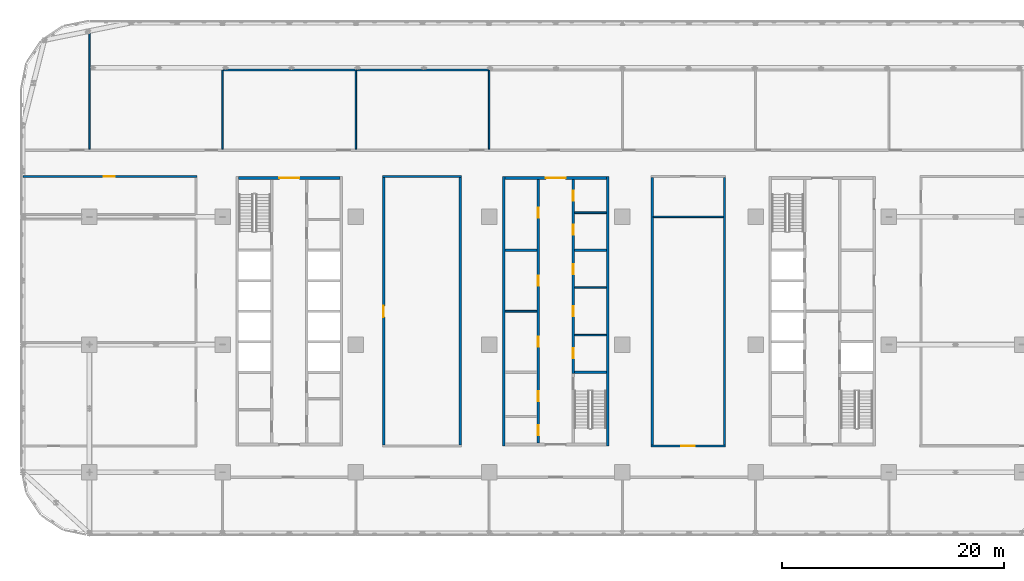
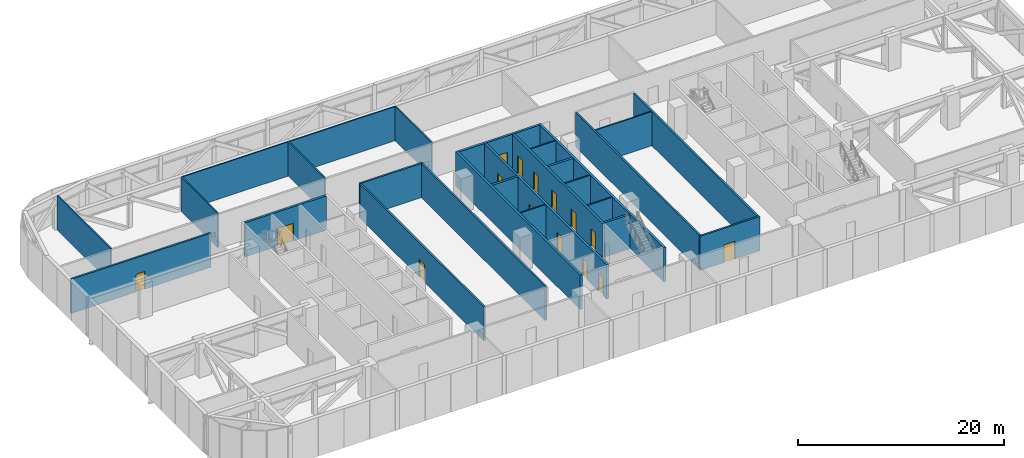
# One storey, part 10 of 26: 27 walls, 15 doors, 15 openings.
"""IFC4 building model written with IfcOpenShell, lengths in metres."""

from ifc_helpers import new_model, si_unit, direction, frame, frame_2d, origin, place, context, subcontext, project, spatial, rectangle, extrude, material, layer, layer_set, type_object, element, fill, save


model = new_model("IFC4")

# Units and contexts
model_context = context("Model", 3, precision=1e-05, world=origin(), true_north=direction((0.0, 1.0)))
body_context = subcontext(model_context, "Body", "Model", "MODEL_VIEW")
ifc_project = project(units=[si_unit("LENGTHUNIT", "METRE"), si_unit("AREAUNIT", "SQUARE_METRE"), si_unit("VOLUMEUNIT", "CUBIC_METRE"), si_unit("PLANEANGLEUNIT", "RADIAN"), si_unit("MASSUNIT", "GRAM", prefix="KILO")], contexts=[model_context])

# Site, building, storey
site_placement = place(None, origin())
site = spatial("IfcSite", under=ifc_project, at=site_placement, CompositionType="ELEMENT")
building_placement = place(site_placement, origin())
building = spatial("IfcBuilding", under=site, at=building_placement, Name="Mahtab Terrace Research Tower", CompositionType="ELEMENT")
storey_placement = place(building_placement, frame((0.0, 0.0, 117.60009765625)))
storey = spatial("IfcBuildingStorey", under=building, at=storey_placement, Name="L27", CompositionType="ELEMENT", Elevation=117.60009765625)

# Walls
ifc_material_1 = material(Name="Gypsum board partition")
ifc_layer_1 = layer(ifc_material_1, 0.14990234375)
ifc_layer_set_1 = layer_set([ifc_layer_1], Name="Core partition 150")
wall_type_1 = type_object("IfcWallType", Name="Core partition 150", PredefinedType="PARTITIONING", material=ifc_layer_set_1)
for number, where, z_axis, x_axis, name in (
    (1, (-4.550048828125, 3.0, 0.0), (0.0, 0.0, 1.0), (1.0, 0.0, 0.0), "Core wall B pWL0"),
    (2, (1.699951171875, 0.85009765625, 0.0), (0.0, 0.0, 1.0), (1.0, 0.0, 0.0), "Core wall B pEL-215"),
    (3, (1.699951171875, 5.14990234375, 0.0), (0.0, 0.0, 1.0), (1.0, 0.0, 0.0), "Core wall B pEL215"),
    (4, (1.699951171875, 11.875, 0.0), (0.0, 0.0, 1.0), (1.0, 0.0, 0.0), "Core wall B pEN888"),
):
    element("IfcWall", number, at=place(storey_placement, frame(where, z_axis=z_axis, x_axis=x_axis)), inside=storey, type_object=wall_type_1, Name=name, PredefinedType="PARTITIONING", context=body_context, shape_type="SweptSolid", body=[
        extrude(rectangle(XDim=2.85009765625, YDim=0.14990234375, at=frame_2d((1.425048828125, 0.0))), origin(), (0.0, 0.0, 1.0), 4.059814453125),
    ])

# Wall, opening, door
ifc_material_2 = material(Name="Concrete C70/85", Category="concrete")
ifc_layer_2 = layer(ifc_material_2, 0.25)
ifc_layer_set_2 = layer_set([ifc_layer_2], Name="Core wall 250")
wall_type_2 = type_object("IfcWallType", Name="Core wall 250", PredefinedType="SOLIDWALL", material=ifc_layer_set_2)
wall_1_placement = place(storey_placement, frame((-28.550048828125, 15.0, 0.0), z_axis=(0.0, 0.0, 1.0), x_axis=(1.0, 0.0, 0.0)))
wall_1 = element("IfcWall", 5, at=wall_1_placement, inside=storey, type_object=wall_type_2, Name="Core wall A endN", PredefinedType="SOLIDWALL", context=body_context, shape_type="SweptSolid", body=[
    extrude(rectangle(XDim=9.10009765625, YDim=0.25, at=frame_2d((4.550048828125, 0.0))), origin(), (0.0, 0.0, 1.0), 4.059814453125),
])
opening_1_placement = place(wall_1_placement, frame((3.64990234375, 0.0, 0.0)))
opening_1 = element("IfcOpeningElement", 6, at=opening_1_placement, cuts=wall_1, Name="Opening A-N1", PredefinedType="OPENING", context=body_context, shape_type="SweptSolid", body=[
    extrude(rectangle(XDim=1.800048828125, YDim=2.10009765625, at=frame_2d((0.89990234375, 1.050048828125))), frame((0.0, 0.135009765625, 0.0), z_axis=(0.0, -1.0, 0.0), x_axis=(1.0, 0.0, 0.0)), (0.0, 0.0, 1.0), 0.27001953125),
])
ifc_material_3 = material(Name="Steel fire door", Category="steel")
door_type_1 = type_object("IfcDoorType", Name="Lobby double door 1800x2100 1 HR", OperationType="DOUBLE_DOOR_SINGLE_SWING", PredefinedType="DOOR", material=ifc_material_3)
door_1_placement = place(opening_1_placement, origin())
door_1 = element("IfcDoor", 7, at=door_1_placement, inside=storey, type_object=door_type_1, Name="Core entrance door A N", OperationType="DOUBLE_DOOR_SINGLE_SWING", OverallHeight=2.10009765625, OverallWidth=1.800048828125, PredefinedType="DOOR", context=body_context, shape_type="SweptSolid", body=[
    extrude(rectangle(XDim=1.800048828125, YDim=2.10009765625, at=frame_2d((0.89990234375, 1.050048828125))), frame((0.0, 0.02490234375, 0.0), z_axis=(0.0, -1.0, 0.0), x_axis=(1.0, 0.0, 0.0)), (0.0, 0.0, 1.0), 0.050048828125),
])
fill(opening_1, door_1)

# Walls
for number, where, z_axis, x_axis, name in (
    (8, (-4.675048828125, 15.125, 0.0), (0.0, 0.0, 1.0), (0.0, -1.0, 0.0), "Core wall B outerW"),
    (9, (4.675048828125, -9.125, 0.0), (0.0, 0.0, 1.0), (0.0, 1.0, 0.0), "Core wall B outerE"),
):
    element("IfcWall", number, at=place(storey_placement, frame(where, z_axis=z_axis, x_axis=x_axis)), inside=storey, type_object=wall_type_2, Name=name, PredefinedType="SOLIDWALL", context=body_context, shape_type="SweptSolid", body=[
        extrude(rectangle(XDim=24.25, YDim=0.25, at=frame_2d((12.125, 0.0))), origin(), (0.0, 0.0, 1.0), 4.059814453125),
    ])

# Wall, opening, door
wall_2_placement = place(storey_placement, frame((-4.550048828125, 15.0, 0.0), z_axis=(0.0, 0.0, 1.0), x_axis=(1.0, 0.0, 0.0)))
wall_2 = element("IfcWall", 10, at=wall_2_placement, inside=storey, type_object=wall_type_2, Name="Core wall B endN", PredefinedType="SOLIDWALL", context=body_context, shape_type="SweptSolid", body=[
    extrude(rectangle(XDim=9.10009765625, YDim=0.25, at=frame_2d((4.550048828125, 0.0))), origin(), (0.0, 0.0, 1.0), 4.059814453125),
])
opening_2_placement = place(wall_2_placement, frame((3.64990234375, 0.0, 0.0)))
opening_2 = element("IfcOpeningElement", 11, at=opening_2_placement, cuts=wall_2, Name="Opening B-N1", PredefinedType="OPENING", context=body_context, shape_type="SweptSolid", body=[
    extrude(rectangle(XDim=1.800048828125, YDim=2.10009765625, at=frame_2d((0.89990234375, 1.050048828125))), frame((0.0, 0.135009765625, 0.0), z_axis=(0.0, -1.0, 0.0), x_axis=(1.0, 0.0, 0.0)), (0.0, 0.0, 1.0), 0.27001953125),
])
door_2_placement = place(opening_2_placement, origin())
door_2 = element("IfcDoor", 12, at=door_2_placement, inside=storey, type_object=door_type_1, Name="Core entrance door B N", OperationType="DOUBLE_DOOR_SINGLE_SWING", OverallHeight=2.10009765625, OverallWidth=1.800048828125, PredefinedType="DOOR", context=body_context, shape_type="SweptSolid", body=[
    extrude(rectangle(XDim=1.800048828125, YDim=2.10009765625, at=frame_2d((0.89990234375, 1.050048828125))), frame((0.0, 0.02490234375, 0.0), z_axis=(0.0, -1.0, 0.0), x_axis=(1.0, 0.0, 0.0)), (0.0, 0.0, 1.0), 0.050048828125),
])
fill(opening_2, door_2)

# Wall, openings, doors
wall_3_placement = place(storey_placement, frame((-1.574951171875, -8.875, 0.0), z_axis=(0.0, 0.0, 1.0), x_axis=(0.0, 1.0, 0.0)))
wall_3 = element("IfcWall", 13, at=wall_3_placement, inside=storey, type_object=wall_type_2, Name="Core wall B innerWSLN", PredefinedType="SOLIDWALL", context=body_context, shape_type="SweptSolid", body=[
    extrude(rectangle(XDim=23.75, YDim=0.25, at=frame_2d((11.875, 0.0))), origin(), (0.0, 0.0, 1.0), 4.059814453125),
])
opening_3_placement = place(wall_3_placement, frame((8.699951171875, 0.0, 0.0)))
opening_3 = element("IfcOpeningElement", 14, at=opening_3_placement, cuts=wall_3, Name="Opening B-R1", PredefinedType="OPENING", context=body_context, shape_type="SweptSolid", body=[
    extrude(rectangle(XDim=0.89990234375, YDim=2.10009765625, at=frame_2d((0.449951171875, 1.050048828125))), frame((0.0, 0.135009765625, 0.0), z_axis=(0.0, -1.0, 0.0), x_axis=(1.0, 0.0, 0.0)), (0.0, 0.0, 1.0), 0.27001953125),
])
opening_4_placement = place(wall_3_placement, frame((14.14990234375, 0.0, 0.0)))
opening_4 = element("IfcOpeningElement", 15, at=opening_4_placement, cuts=wall_3, Name="Opening B-R2", PredefinedType="OPENING", context=body_context, shape_type="SweptSolid", body=[
    extrude(rectangle(XDim=0.89990234375, YDim=2.10009765625, at=frame_2d((0.449951171875, 1.050048828125))), frame((0.0, 0.135009765625, 0.0), z_axis=(0.0, -1.0, 0.0), x_axis=(1.0, 0.0, 0.0)), (0.0, 0.0, 1.0), 0.27001953125),
])
opening_5_placement = place(wall_3_placement, frame((0.71240234375, 0.0, 0.0)))
opening_5 = element("IfcOpeningElement", 16, at=opening_5_placement, cuts=wall_3, Name="Opening B-R6", PredefinedType="OPENING", context=body_context, shape_type="SweptSolid", body=[
    extrude(rectangle(XDim=0.89990234375, YDim=2.10009765625, at=frame_2d((0.449951171875, 1.050048828125))), frame((0.0, 0.135009765625, 0.0), z_axis=(0.0, -1.0, 0.0), x_axis=(1.0, 0.0, 0.0)), (0.0, 0.0, 1.0), 0.27001953125),
])
opening_6_placement = place(wall_3_placement, frame((3.78759765625, 0.0, 0.0)))
opening_6 = element("IfcOpeningElement", 17, at=opening_6_placement, cuts=wall_3, Name="Opening B-R7", PredefinedType="OPENING", context=body_context, shape_type="SweptSolid", body=[
    extrude(rectangle(XDim=0.89990234375, YDim=2.10009765625, at=frame_2d((0.449951171875, 1.050048828125))), frame((0.0, 0.135009765625, 0.0), z_axis=(0.0, -1.0, 0.0), x_axis=(1.0, 0.0, 0.0)), (0.0, 0.0, 1.0), 0.27001953125),
])
opening_7_placement = place(wall_3_placement, frame((20.300048828125, 0.0, 0.0)))
opening_7 = element("IfcOpeningElement", 18, at=opening_7_placement, cuts=wall_3, Name="Opening B-R8", PredefinedType="OPENING", context=body_context, shape_type="SweptSolid", body=[
    extrude(rectangle(XDim=0.89990234375, YDim=2.10009765625, at=frame_2d((0.449951171875, 1.050048828125))), frame((0.0, 0.135009765625, 0.0), z_axis=(0.0, -1.0, 0.0), x_axis=(1.0, 0.0, 0.0)), (0.0, 0.0, 1.0), 0.27001953125),
])
door_type_2 = type_object("IfcDoorType", Name="Room door 900x2100 1 HR", OperationType="NOTDEFINED", PredefinedType="DOOR", material=ifc_material_3)
door_3_placement = place(opening_3_placement, origin())
door_3 = element("IfcDoor", 19, at=door_3_placement, inside=storey, type_object=door_type_2, Name="Document store door", OperationType="SINGLE_SWING_LEFT", OverallHeight=2.10009765625, OverallWidth=0.89990234375, PredefinedType="DOOR", context=body_context, shape_type="SweptSolid", body=[
    extrude(rectangle(XDim=0.89990234375, YDim=2.10009765625, at=frame_2d((0.449951171875, 1.050048828125))), frame((0.0, 0.02490234375, 0.0), z_axis=(0.0, -1.0, 0.0), x_axis=(1.0, 0.0, 0.0)), (0.0, 0.0, 1.0), 0.050048828125),
])
fill(opening_3, door_3)
door_4_placement = place(opening_4_placement, origin())
door_4 = element("IfcDoor", 20, at=door_4_placement, inside=storey, type_object=door_type_2, Name="IT equipment room door", OperationType="SINGLE_SWING_RIGHT", OverallHeight=2.10009765625, OverallWidth=0.89990234375, PredefinedType="DOOR", context=body_context, shape_type="SweptSolid", body=[
    extrude(rectangle(XDim=0.89990234375, YDim=2.10009765625, at=frame_2d((0.449951171875, 1.050048828125))), frame((0.0, 0.02490234375, 0.0), z_axis=(0.0, -1.0, 0.0), x_axis=(1.0, 0.0, 0.0)), (0.0, 0.0, 1.0), 0.050048828125),
])
fill(opening_4, door_4)
door_5_placement = place(opening_5_placement, origin())
door_5 = element("IfcDoor", 21, at=door_5_placement, inside=storey, type_object=door_type_2, Name="Mechanical riser room door", OperationType="SINGLE_SWING_RIGHT", OverallHeight=2.10009765625, OverallWidth=0.89990234375, PredefinedType="DOOR", context=body_context, shape_type="SweptSolid", body=[
    extrude(rectangle(XDim=0.89990234375, YDim=2.10009765625, at=frame_2d((0.449951171875, 1.050048828125))), frame((0.0, 0.02490234375, 0.0), z_axis=(0.0, -1.0, 0.0), x_axis=(1.0, 0.0, 0.0)), (0.0, 0.0, 1.0), 0.050048828125),
])
fill(opening_5, door_5)
door_6_placement = place(opening_6_placement, origin())
door_6 = element("IfcDoor", 22, at=door_6_placement, inside=storey, type_object=door_type_2, Name="Chemical store door", OperationType="SINGLE_SWING_LEFT", OverallHeight=2.10009765625, OverallWidth=0.89990234375, PredefinedType="DOOR", context=body_context, shape_type="SweptSolid", body=[
    extrude(rectangle(XDim=0.89990234375, YDim=2.10009765625, at=frame_2d((0.449951171875, 1.050048828125))), frame((0.0, 0.02490234375, 0.0), z_axis=(0.0, -1.0, 0.0), x_axis=(1.0, 0.0, 0.0)), (0.0, 0.0, 1.0), 0.050048828125),
])
fill(opening_6, door_6)
door_7_placement = place(opening_7_placement, origin())
door_7 = element("IfcDoor", 23, at=door_7_placement, inside=storey, type_object=door_type_2, Name="Gas cylinder store door", OperationType="SINGLE_SWING_RIGHT", OverallHeight=2.10009765625, OverallWidth=0.89990234375, PredefinedType="DOOR", context=body_context, shape_type="SweptSolid", body=[
    extrude(rectangle(XDim=0.89990234375, YDim=2.10009765625, at=frame_2d((0.449951171875, 1.050048828125))), frame((0.0, 0.02490234375, 0.0), z_axis=(0.0, -1.0, 0.0), x_axis=(1.0, 0.0, 0.0)), (0.0, 0.0, 1.0), 0.050048828125),
])
fill(opening_7, door_7)

wall_4_placement = place(storey_placement, frame((1.574951171875, 14.875, 0.0), z_axis=(0.0, 0.0, 1.0), x_axis=(0.0, -1.0, 0.0)))
wall_4 = element("IfcWall", 24, at=wall_4_placement, inside=storey, type_object=wall_type_2, Name="Core wall B innerELN", PredefinedType="SOLIDWALL", context=body_context, shape_type="SweptSolid", body=[
    extrude(rectangle(XDim=17.5, YDim=0.25, at=frame_2d((8.75, 0.0))), origin(), (0.0, 0.0, 1.0), 4.059814453125),
])
opening_8_placement = place(wall_4_placement, frame((15.22509765625, 0.0, 0.0)))
opening_8 = element("IfcOpeningElement", 25, at=opening_8_placement, cuts=wall_4, Name="Opening B-R3", PredefinedType="OPENING", context=body_context, shape_type="SweptSolid", body=[
    extrude(rectangle(XDim=0.89990234375, YDim=2.10009765625, at=frame_2d((0.449951171875, 1.050048828125))), frame((0.0, 0.135009765625, 0.0), z_axis=(0.0, -1.0, 0.0), x_axis=(1.0, 0.0, 0.0)), (0.0, 0.0, 1.0), 0.27001953125),
])
opening_9_placement = place(wall_4_placement, frame((11.425048828125, 0.0, 0.0)))
opening_9 = element("IfcOpeningElement", 26, at=opening_9_placement, cuts=wall_4, Name="Opening B-R4", PredefinedType="OPENING", context=body_context, shape_type="SweptSolid", body=[
    extrude(rectangle(XDim=0.89990234375, YDim=2.10009765625, at=frame_2d((0.449951171875, 1.050048828125))), frame((0.0, 0.135009765625, 0.0), z_axis=(0.0, -1.0, 0.0), x_axis=(1.0, 0.0, 0.0)), (0.0, 0.0, 1.0), 0.27001953125),
])
opening_10_placement = place(wall_4_placement, frame((7.625, 0.0, 0.0)))
opening_10 = element("IfcOpeningElement", 27, at=opening_10_placement, cuts=wall_4, Name="Opening B-R5", PredefinedType="OPENING", context=body_context, shape_type="SweptSolid", body=[
    extrude(rectangle(XDim=0.89990234375, YDim=2.10009765625, at=frame_2d((0.449951171875, 1.050048828125))), frame((0.0, 0.135009765625, 0.0), z_axis=(0.0, -1.0, 0.0), x_axis=(1.0, 0.0, 0.0)), (0.0, 0.0, 1.0), 0.27001953125),
])
opening_11_placement = place(wall_4_placement, frame((4.08740234375, 0.0, 0.0)))
opening_11 = element("IfcOpeningElement", 28, at=opening_11_placement, cuts=wall_4, Name="Opening B-R9", PredefinedType="OPENING", context=body_context, shape_type="SweptSolid", body=[
    extrude(rectangle(XDim=0.89990234375, YDim=2.10009765625, at=frame_2d((0.449951171875, 1.050048828125))), frame((0.0, 0.135009765625, 0.0), z_axis=(0.0, -1.0, 0.0), x_axis=(1.0, 0.0, 0.0)), (0.0, 0.0, 1.0), 0.27001953125),
])
opening_12_placement = place(wall_4_placement, frame((1.012451171875, 0.0, 0.0)))
opening_12 = element("IfcOpeningElement", 29, at=opening_12_placement, cuts=wall_4, Name="Opening B-R10", PredefinedType="OPENING", context=body_context, shape_type="SweptSolid", body=[
    extrude(rectangle(XDim=0.89990234375, YDim=2.10009765625, at=frame_2d((0.449951171875, 1.050048828125))), frame((0.0, 0.135009765625, 0.0), z_axis=(0.0, -1.0, 0.0), x_axis=(1.0, 0.0, 0.0)), (0.0, 0.0, 1.0), 0.27001953125),
])
door_8_placement = place(opening_8_placement, origin())
door_8 = element("IfcDoor", 30, at=door_8_placement, inside=storey, type_object=door_type_2, Name="Electrical room door", OperationType="SINGLE_SWING_LEFT", OverallHeight=2.10009765625, OverallWidth=0.89990234375, PredefinedType="DOOR", context=body_context, shape_type="SweptSolid", body=[
    extrude(rectangle(XDim=0.89990234375, YDim=2.10009765625, at=frame_2d((0.449951171875, 1.050048828125))), frame((0.0, 0.02490234375, 0.0), z_axis=(0.0, -1.0, 0.0), x_axis=(1.0, 0.0, 0.0)), (0.0, 0.0, 1.0), 0.050048828125),
])
fill(opening_8, door_8)
door_9_placement = place(opening_9_placement, origin())
door_9 = element("IfcDoor", 31, at=door_9_placement, inside=storey, type_object=door_type_2, Name="Pantry door", OperationType="SINGLE_SWING_RIGHT", OverallHeight=2.10009765625, OverallWidth=0.89990234375, PredefinedType="DOOR", context=body_context, shape_type="SweptSolid", body=[
    extrude(rectangle(XDim=0.89990234375, YDim=2.10009765625, at=frame_2d((0.449951171875, 1.050048828125))), frame((0.0, 0.02490234375, 0.0), z_axis=(0.0, -1.0, 0.0), x_axis=(1.0, 0.0, 0.0)), (0.0, 0.0, 1.0), 0.050048828125),
])
fill(opening_9, door_9)
door_10_placement = place(opening_10_placement, origin())
door_10 = element("IfcDoor", 32, at=door_10_placement, inside=storey, type_object=door_type_2, Name="Housekeeping store door", OperationType="SINGLE_SWING_LEFT", OverallHeight=2.10009765625, OverallWidth=0.89990234375, PredefinedType="DOOR", context=body_context, shape_type="SweptSolid", body=[
    extrude(rectangle(XDim=0.89990234375, YDim=2.10009765625, at=frame_2d((0.449951171875, 1.050048828125))), frame((0.0, 0.02490234375, 0.0), z_axis=(0.0, -1.0, 0.0), x_axis=(1.0, 0.0, 0.0)), (0.0, 0.0, 1.0), 0.050048828125),
])
fill(opening_10, door_10)
door_11_placement = place(opening_11_placement, origin())
door_11 = element("IfcDoor", 33, at=door_11_placement, inside=storey, type_object=door_type_2, Name="Staff WC door", OperationType="SINGLE_SWING_LEFT", OverallHeight=2.10009765625, OverallWidth=0.89990234375, PredefinedType="DOOR", context=body_context, shape_type="SweptSolid", body=[
    extrude(rectangle(XDim=0.89990234375, YDim=2.10009765625, at=frame_2d((0.449951171875, 1.050048828125))), frame((0.0, 0.02490234375, 0.0), z_axis=(0.0, -1.0, 0.0), x_axis=(1.0, 0.0, 0.0)), (0.0, 0.0, 1.0), 0.050048828125),
])
fill(opening_11, door_11)
door_12_placement = place(opening_12_placement, origin())
door_12 = element("IfcDoor", 34, at=door_12_placement, inside=storey, type_object=door_type_2, Name="Accessible WC door", OperationType="SINGLE_SWING_RIGHT", OverallHeight=2.10009765625, OverallWidth=0.89990234375, PredefinedType="DOOR", context=body_context, shape_type="SweptSolid", body=[
    extrude(rectangle(XDim=0.89990234375, YDim=2.10009765625, at=frame_2d((0.449951171875, 1.050048828125))), frame((0.0, 0.02490234375, 0.0), z_axis=(0.0, -1.0, 0.0), x_axis=(1.0, 0.0, 0.0)), (0.0, 0.0, 1.0), 0.050048828125),
])
fill(opening_12, door_12)

# Walls
for number, where, z_axis, x_axis, name in (
    (35, (-4.550048828125, 8.5, 0.0), (0.0, 0.0, 1.0), (1.0, 0.0, 0.0), "Core wall B divW4"),
    (36, (1.699951171875, -2.5, 0.0), (0.0, 0.0, 1.0), (1.0, 0.0, 0.0), "Core wall B divE0"),
    (37, (1.699951171875, 8.5, 0.0), (0.0, 0.0, 1.0), (1.0, 0.0, 0.0), "Core wall B divE4"),
):
    element("IfcWall", number, at=place(storey_placement, frame(where, z_axis=z_axis, x_axis=x_axis)), inside=storey, type_object=wall_type_2, Name=name, PredefinedType="SOLIDWALL", context=body_context, shape_type="SweptSolid", body=[
        extrude(rectangle(XDim=2.85009765625, YDim=0.25, at=frame_2d((1.425048828125, 0.0))), origin(), (0.0, 0.0, 1.0), 4.059814453125),
    ])

# Wall, opening, door
ifc_material_4 = material(Name="Gypsum board corridor wall on steel studs", Category="steel")
ifc_layer_3 = layer(ifc_material_4, 0.199951171875)
ifc_layer_set_3 = layer_set([ifc_layer_3], Name="WALL CORRIDOR 200")
wall_type_3 = type_object("IfcWallType", Name="WALL CORRIDOR 200", PredefinedType="PARTITIONING", material=ifc_layer_set_3)
wall_5_placement = place(storey_placement, frame((8.60009765625, -9.125, 0.0), z_axis=(0.0, 0.0, 1.0), x_axis=(1.0, 0.0, 0.0)))
wall_5 = element("IfcWall", 38, at=wall_5_placement, inside=storey, type_object=wall_type_3, Name="L27-W009", PredefinedType="PARTITIONING", context=body_context, shape_type="SweptSolid", body=[
    extrude(rectangle(XDim=6.699951171875, YDim=0.199951171875, at=frame_2d((3.35009765625, 0.0))), origin(), (0.0, 0.0, 1.0), 4.059814453125),
])
opening_13_placement = place(wall_5_placement, frame((2.699951171875, 0.0, 0.0)))
opening_13 = element("IfcOpeningElement", 39, at=opening_13_placement, cuts=wall_5, Name="Opening L27-112", PredefinedType="OPENING", context=body_context, shape_type="SweptSolid", body=[
    extrude(rectangle(XDim=1.199951171875, YDim=2.10009765625, at=frame_2d((0.60009765625, 1.050048828125))), frame((0.0, 0.10986328125, 0.0), z_axis=(0.0, -1.0, 0.0), x_axis=(1.0, 0.0, 0.0)), (0.0, 0.0, 1.0), 0.219970703125),
])
ifc_material_5 = material(Name="Timber door leaf in steel frame", Category="steel")
door_type_3 = type_object("IfcDoorType", Name="DOOR 1200X2100 FD30S", OperationType="SINGLE_SWING_LEFT", PredefinedType="DOOR", material=ifc_material_5)
door_13_placement = place(opening_13_placement, origin())
door_13 = element("IfcDoor", 40, at=door_13_placement, inside=storey, type_object=door_type_3, Name="Door L27-112", OperationType="SINGLE_SWING_LEFT", OverallHeight=2.10009765625, OverallWidth=1.199951171875, PredefinedType="DOOR", context=body_context, shape_type="SweptSolid", body=[
    extrude(rectangle(XDim=1.199951171875, YDim=2.10009765625, at=frame_2d((0.60009765625, 1.050048828125))), frame((0.0, 0.02490234375, 0.0), z_axis=(0.0, -1.0, 0.0), x_axis=(1.0, 0.0, 0.0)), (0.0, 0.0, 1.0), 0.050048828125),
])
fill(opening_13, door_13)

wall_6_placement = place(storey_placement, frame((-48.0, 15.125, 0.0), z_axis=(0.0, 0.0, 1.0), x_axis=(1.0, 0.0, 0.0)))
wall_6 = element("IfcWall", 41, at=wall_6_placement, inside=storey, type_object=wall_type_3, Name="L27-W019", PredefinedType="PARTITIONING", context=body_context, shape_type="SweptSolid", body=[
    extrude(rectangle(XDim=15.699951171875, YDim=0.199951171875, at=frame_2d((7.85009765625, 0.0))), origin(), (0.0, 0.0, 1.0), 4.059814453125),
])
opening_14_placement = place(wall_6_placement, frame((7.300048828125, 0.0, 0.0)))
opening_14 = element("IfcOpeningElement", 42, at=opening_14_placement, cuts=wall_6, Name="Opening L27-114", PredefinedType="OPENING", context=body_context, shape_type="SweptSolid", body=[
    extrude(rectangle(XDim=1.0, YDim=2.10009765625, at=frame_2d((0.5, 1.050048828125))), frame((0.0, 0.10986328125, 0.0), z_axis=(0.0, -1.0, 0.0), x_axis=(1.0, 0.0, 0.0)), (0.0, 0.0, 1.0), 0.219970703125),
])
door_type_4 = type_object("IfcDoorType", Name="DOOR 1000X2100 FD30S", OperationType="SINGLE_SWING_LEFT", PredefinedType="DOOR", material=ifc_material_5)
door_14_placement = place(opening_14_placement, origin())
door_14 = element("IfcDoor", 43, at=door_14_placement, inside=storey, type_object=door_type_4, Name="Door L27-114", OperationType="SINGLE_SWING_LEFT", OverallHeight=2.10009765625, OverallWidth=1.0, PredefinedType="DOOR", context=body_context, shape_type="SweptSolid", body=[
    extrude(rectangle(XDim=1.0, YDim=2.10009765625, at=frame_2d((0.5, 1.050048828125))), frame((0.0, 0.02490234375, 0.0), z_axis=(0.0, -1.0, 0.0), x_axis=(1.0, 0.0, 0.0)), (0.0, 0.0, 1.0), 0.050048828125),
])
fill(opening_14, door_14)

# Wall
wall_7_placement = place(storey_placement, frame((-15.60009765625, 15.125, 0.0), z_axis=(0.0, 0.0, 1.0), x_axis=(1.0, 0.0, 0.0)))
element("IfcWall", 44, at=wall_7_placement, inside=storey, type_object=wall_type_3, Name="L27-W020", PredefinedType="PARTITIONING", context=body_context, shape_type="SweptSolid", body=[
    extrude(rectangle(XDim=7.10009765625, YDim=0.199951171875, at=frame_2d((3.550048828125, 0.0))), origin(), (0.0, 0.0, 1.0), 4.059814453125),
])

# Wall, opening, door
wall_8_placement = place(storey_placement, frame((-15.5, -9.02490234375, 0.0), z_axis=(0.0, 0.0, 1.0), x_axis=(0.0, 1.0, 0.0)))
wall_8 = element("IfcWall", 45, at=wall_8_placement, inside=storey, type_object=wall_type_3, Name="L27-W040", PredefinedType="PARTITIONING", context=body_context, shape_type="SweptSolid", body=[
    extrude(rectangle(XDim=24.0498046875, YDim=0.199951171875, at=frame_2d((12.02490234375, 0.0))), origin(), (0.0, 0.0, 1.0), 4.059814453125),
])
opening_15_placement = place(wall_8_placement, frame((11.5, 0.0, 0.0)))
opening_15 = element("IfcOpeningElement", 46, at=opening_15_placement, cuts=wall_8, Name="Opening L27-111", PredefinedType="OPENING", context=body_context, shape_type="SweptSolid", body=[
    extrude(rectangle(XDim=1.0, YDim=2.10009765625, at=frame_2d((0.5, 1.050048828125))), frame((0.0, 0.10986328125, 0.0), z_axis=(0.0, -1.0, 0.0), x_axis=(1.0, 0.0, 0.0)), (0.0, 0.0, 1.0), 0.219970703125),
])
door_15_placement = place(opening_15_placement, origin())
door_15 = element("IfcDoor", 47, at=door_15_placement, inside=storey, type_object=door_type_4, Name="Door L27-111", OperationType="SINGLE_SWING_RIGHT", OverallHeight=2.10009765625, OverallWidth=1.0, PredefinedType="DOOR", context=body_context, shape_type="SweptSolid", body=[
    extrude(rectangle(XDim=1.0, YDim=2.10009765625, at=frame_2d((0.5, 1.050048828125))), frame((0.0, 0.02490234375, 0.0), z_axis=(0.0, -1.0, 0.0), x_axis=(1.0, 0.0, 0.0)), (0.0, 0.0, 1.0), 0.050048828125),
])
fill(opening_15, door_15)

# Walls
for number, where, z_axis, x_axis, name in (
    (48, (-8.60009765625, -9.02490234375, 0.0), (0.0, 0.0, 1.0), (0.0, 1.0, 0.0), "L27-W041"),
    (49, (8.699951171875, -9.02490234375, 0.0), (0.0, 0.0, 1.0), (0.0, 1.0, 0.0), "L27-W046"),
    (50, (15.199951171875, -9.02490234375, 0.0), (0.0, 0.0, 1.0), (0.0, 1.0, 0.0), "L27-W047"),
):
    element("IfcWall", number, at=place(storey_placement, frame(where, z_axis=z_axis, x_axis=x_axis)), inside=storey, type_object=wall_type_3, Name=name, PredefinedType="PARTITIONING", context=body_context, shape_type="SweptSolid", body=[
        extrude(rectangle(XDim=24.0498046875, YDim=0.199951171875, at=frame_2d((12.02490234375, 0.0))), origin(), (0.0, 0.0, 1.0), 4.059814453125),
    ])
ifc_material_6 = material(Name="Gypsum board partition on steel studs", Category="steel")
ifc_layer_4 = layer(ifc_material_6, 0.14990234375)
ifc_layer_set_4 = layer_set([ifc_layer_4], Name="WALL PARTITION 150")
wall_type_4 = type_object("IfcWallType", Name="WALL PARTITION 150", PredefinedType="PARTITIONING", material=ifc_layer_set_4)
wall_9_placement = place(storey_placement, frame((8.800048828125, 11.5, 0.0), z_axis=(0.0, 0.0, 1.0), x_axis=(1.0, 0.0, 0.0)))
element("IfcWall", 51, at=wall_9_placement, inside=storey, type_object=wall_type_4, Name="L27-W016", PredefinedType="PARTITIONING", context=body_context, shape_type="SweptSolid", body=[
    extrude(rectangle(XDim=6.300048828125, YDim=0.14990234375, at=frame_2d((3.14990234375, 0.0))), origin(), (0.0, 0.0, 1.0), 4.059814453125),
])
for number, where, z_axis, x_axis, name in (
    (52, (-29.949951171875, 24.72705078125, 0.0), (0.0, 0.0, 1.0), (1.0, 0.0, 0.0), "L27-W026"),
    (53, (-17.949951171875, 24.72705078125, 0.0), (0.0, 0.0, 1.0), (1.0, 0.0, 0.0), "L27-W027"),
):
    element("IfcWall", number, at=place(storey_placement, frame(where, z_axis=z_axis, x_axis=x_axis)), inside=storey, type_object=wall_type_4, Name=name, PredefinedType="PARTITIONING", context=body_context, shape_type="SweptSolid", body=[
        extrude(rectangle(XDim=11.89990234375, YDim=0.14990234375, at=frame_2d((5.949951171875, 0.0))), origin(), (0.0, 0.0, 1.0), 4.059814453125),
    ])
wall_10_placement = place(storey_placement, frame((-42.0, 17.60009765625, 0.0), z_axis=(0.0, 0.0, 1.0), x_axis=(0.0, 1.0, 0.0)))
element("IfcWall", 54, at=wall_10_placement, inside=storey, type_object=wall_type_4, Name="L27-W032", PredefinedType="PARTITIONING", context=body_context, shape_type="SweptSolid", body=[
    extrude(rectangle(XDim=10.43359375, YDim=0.14990234375, at=frame_2d((5.216796875, 0.0))), origin(), (0.0, 0.0, 1.0), 4.059814453125),
])
for number, where, z_axis, x_axis, name in (
    (55, (-30.0, 17.60009765625, 0.0), (0.0, 0.0, 1.0), (0.0, 1.0, 0.0), "L27-W037"),
    (56, (-18.0, 17.60009765625, 0.0), (0.0, 0.0, 1.0), (0.0, 1.0, 0.0), "L27-W039"),
    (57, (-6.0, 17.60009765625, 0.0), (0.0, 0.0, 1.0), (0.0, 1.0, 0.0), "L27-W043"),
):
    element("IfcWall", number, at=place(storey_placement, frame(where, z_axis=z_axis, x_axis=x_axis)), inside=storey, type_object=wall_type_4, Name=name, PredefinedType="PARTITIONING", context=body_context, shape_type="SweptSolid", body=[
        extrude(rectangle(XDim=7.126953125, YDim=0.14990234375, at=frame_2d((3.5634765625, 0.0))), origin(), (0.0, 0.0, 1.0), 4.059814453125),
    ])

save(model, "model.ifc")
